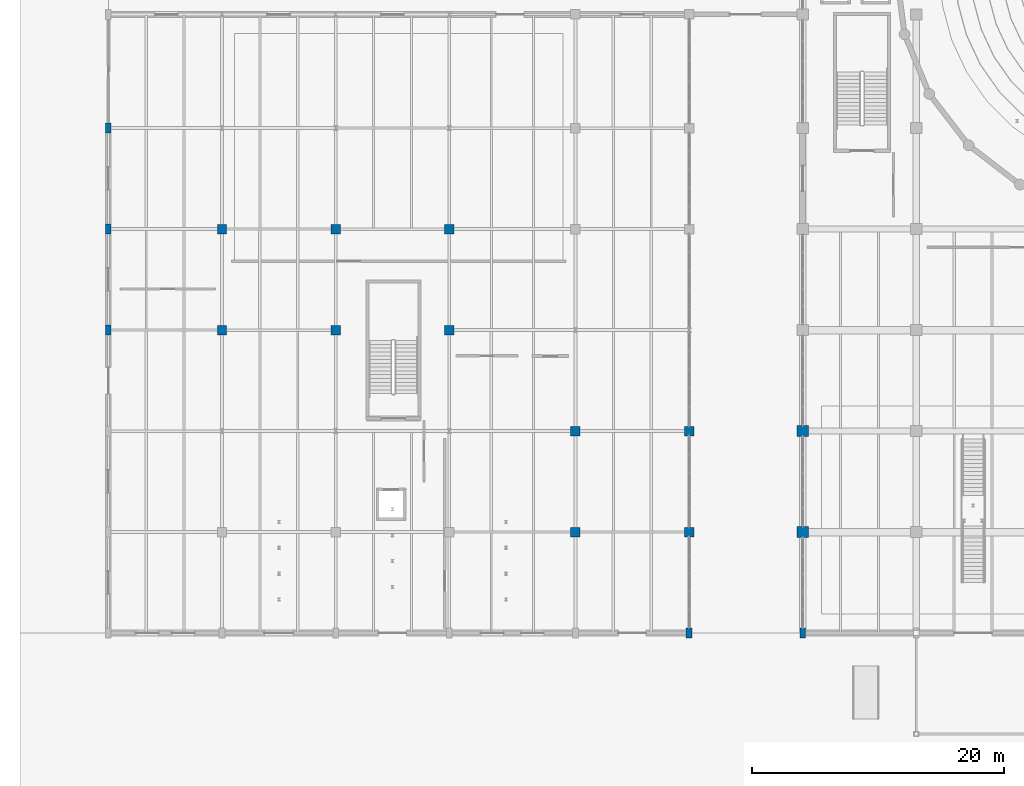
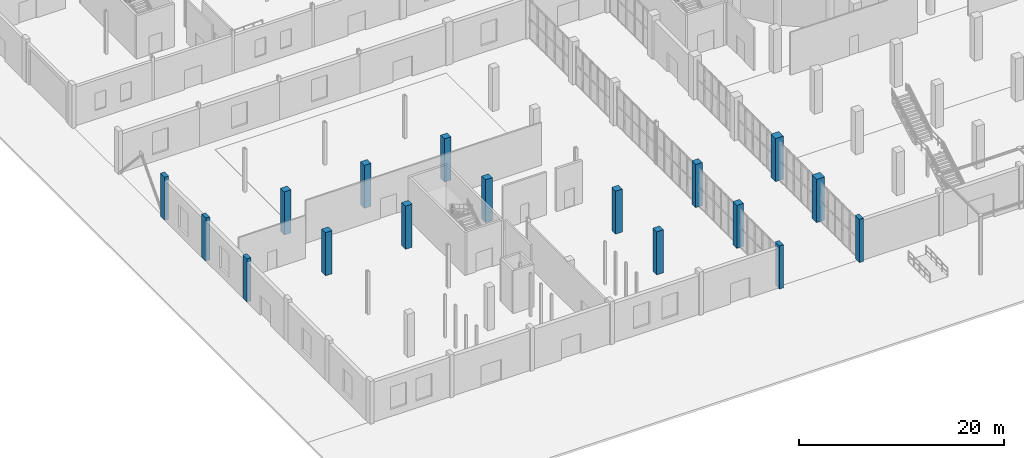
# One storey, part 5 of 103: 17 columns.
"""IFC4 building model written with IfcOpenShell, lengths in metres."""

from ifc_helpers import new_model, si_unit, direction, frame, origin, origin_2d, place, context, subcontext, project, spatial, rectangle, extrude, material, material_profile, profile_set, type_object, element, save


model = new_model("IFC4")

# Units and contexts
model_context = context("Model", 3, precision=1e-05, world=origin(), true_north=direction((0.0, 1.0)))
body_context = subcontext(model_context, "Body", "Model", "MODEL_VIEW")
ifc_project = project(units=[si_unit("LENGTHUNIT", "METRE"), si_unit("AREAUNIT", "SQUARE_METRE"), si_unit("VOLUMEUNIT", "CUBIC_METRE"), si_unit("PLANEANGLEUNIT", "RADIAN"), si_unit("MASSUNIT", "GRAM", prefix="KILO")], contexts=[model_context])

# Site, building, storey
site_placement = place(None, origin())
site = spatial("IfcSite", under=ifc_project, at=site_placement, CompositionType="ELEMENT")
building_placement = place(site_placement, origin())
building = spatial("IfcBuilding", under=site, at=building_placement, Name="Marnock Terrace Opera House", CompositionType="ELEMENT")
storey_placement = place(building_placement, origin())
storey = spatial("IfcBuildingStorey", under=building, at=storey_placement, Name="L00", CompositionType="ELEMENT", Elevation=0.0)

# Columns
ifc_material_1 = material(Name="Concrete N40 (f'c = 40 MPa)", Category="concrete")
ifc_material_profile_1 = material_profile(ifc_material_1, rectangle(XDim=0.449951171875, YDim=0.800048828125, at=origin_2d()))
ifc_profile_set_1 = profile_set([ifc_material_profile_1], Name="Concrete N40 (f'c = 40 MPa)")
column_type_1 = type_object("IfcColumnType", Name="COL-PIL-800", PredefinedType="PILASTER", material=ifc_profile_set_1)
for number, where, z_axis, x_axis, name in (
    (1, (0.0, 32.0, 0.0), (0.0, 0.0, 1.0), (1.0, 0.0, 0.0), "L00 column at (0.0, 32.0)"),
    (2, (0.0, 40.0, 0.0), (0.0, 0.0, 1.0), (1.0, 0.0, 0.0), "L00 column at (0.0, 40.0)"),
    (3, (0.0, 48.0, 0.0), (0.0, 0.0, 1.0), (1.0, 0.0, 0.0), "L00 column at (0.0, 48.0)"),
    (4, (46.0, 8.0, 0.0), (0.0, 0.0, 1.0), (1.0, 0.0, 0.0), "L00 column at (46.0, 8.0)"),
    (5, (55.0, 8.0, 0.0), (0.0, 0.0, 1.0), (1.0, 0.0, 0.0), "L00 column at (55.0, 8.0)"),
):
    element("IfcColumn", number, at=place(storey_placement, frame(where, z_axis=z_axis, x_axis=x_axis)), inside=storey, type_object=column_type_1, Name=name, PredefinedType="PILASTER", context=body_context, shape_type="SweptSolid", body=[
        extrude(rectangle(XDim=0.449951171875, YDim=0.800048828125, at=origin_2d()), origin(), (0.0, 0.0, 1.0), 5.1201171875),
    ])
ifc_material_2 = material(Name="Concrete N50 (f'c = 50 MPa)", Category="concrete")
ifc_material_profile_2 = material_profile(ifc_material_2, rectangle(XDim=0.75, YDim=0.75, at=origin_2d()))
ifc_profile_set_2 = profile_set([ifc_material_profile_2], Name="Concrete N50 (f'c = 50 MPa)")
column_type_2 = type_object("IfcColumnType", Name="COL-RC750", PredefinedType="COLUMN", material=ifc_profile_set_2)
for number, where, z_axis, x_axis, name in (
    (6, (9.0, 32.0, 0.0), (0.0, 0.0, 1.0), (1.0, 0.0, 0.0), "L00 column at (9.0, 32.0)"),
    (7, (9.0, 40.0, 0.0), (0.0, 0.0, 1.0), (1.0, 0.0, 0.0), "L00 column at (9.0, 40.0)"),
    (8, (18.0, 32.0, 0.0), (0.0, 0.0, 1.0), (1.0, 0.0, 0.0), "L00 column at (18.0, 32.0)"),
    (9, (18.0, 40.0, 0.0), (0.0, 0.0, 1.0), (1.0, 0.0, 0.0), "L00 column at (18.0, 40.0)"),
    (10, (27.0, 32.0, 0.0), (0.0, 0.0, 1.0), (1.0, 0.0, 0.0), "L00 column at (27.0, 32.0)"),
    (11, (27.0, 40.0, 0.0), (0.0, 0.0, 1.0), (1.0, 0.0, 0.0), "L00 column at (27.0, 40.0)"),
    (12, (37.0, 16.0, 0.0), (0.0, 0.0, 1.0), (1.0, 0.0, 0.0), "L00 column at (37.0, 16.0)"),
    (13, (37.0, 24.0, 0.0), (0.0, 0.0, 1.0), (1.0, 0.0, 0.0), "L00 column at (37.0, 24.0)"),
    (14, (46.0, 16.0, 0.0), (0.0, 0.0, 1.0), (1.0, 0.0, 0.0), "L00 column at (46.0, 16.0)"),
    (15, (46.0, 24.0, 0.0), (0.0, 0.0, 1.0), (1.0, 0.0, 0.0), "L00 column at (46.0, 24.0)"),
):
    element("IfcColumn", number, at=place(storey_placement, frame(where, z_axis=z_axis, x_axis=x_axis)), inside=storey, type_object=column_type_2, Name=name, PredefinedType="COLUMN", context=body_context, shape_type="SweptSolid", body=[
        extrude(rectangle(XDim=0.75, YDim=0.75, at=origin_2d()), origin(), (0.0, 0.0, 1.0), 5.1201171875),
    ])
ifc_material_profile_3 = material_profile(ifc_material_2, rectangle(XDim=0.89990234375, YDim=0.89990234375, at=origin_2d()))
ifc_profile_set_3 = profile_set([ifc_material_profile_3], Name="Concrete N50 (f'c = 50 MPa)")
column_type_3 = type_object("IfcColumnType", Name="COL-RC900", PredefinedType="COLUMN", material=ifc_profile_set_3)
for number, where, z_axis, x_axis, name in (
    (16, (55.0, 16.0, 0.0), (0.0, 0.0, 1.0), (1.0, 0.0, 0.0), "L00 column at (55.0, 16.0)"),
    (17, (55.0, 24.0, 0.0), (0.0, 0.0, 1.0), (1.0, 0.0, 0.0), "L00 column at (55.0, 24.0)"),
):
    element("IfcColumn", number, at=place(storey_placement, frame(where, z_axis=z_axis, x_axis=x_axis)), inside=storey, type_object=column_type_3, Name=name, PredefinedType="COLUMN", context=body_context, shape_type="SweptSolid", body=[
        extrude(rectangle(XDim=0.89990234375, YDim=0.89990234375, at=origin_2d()), origin(), (0.0, 0.0, 1.0), 5.1201171875),
    ])

save(model, "model.ifc")
